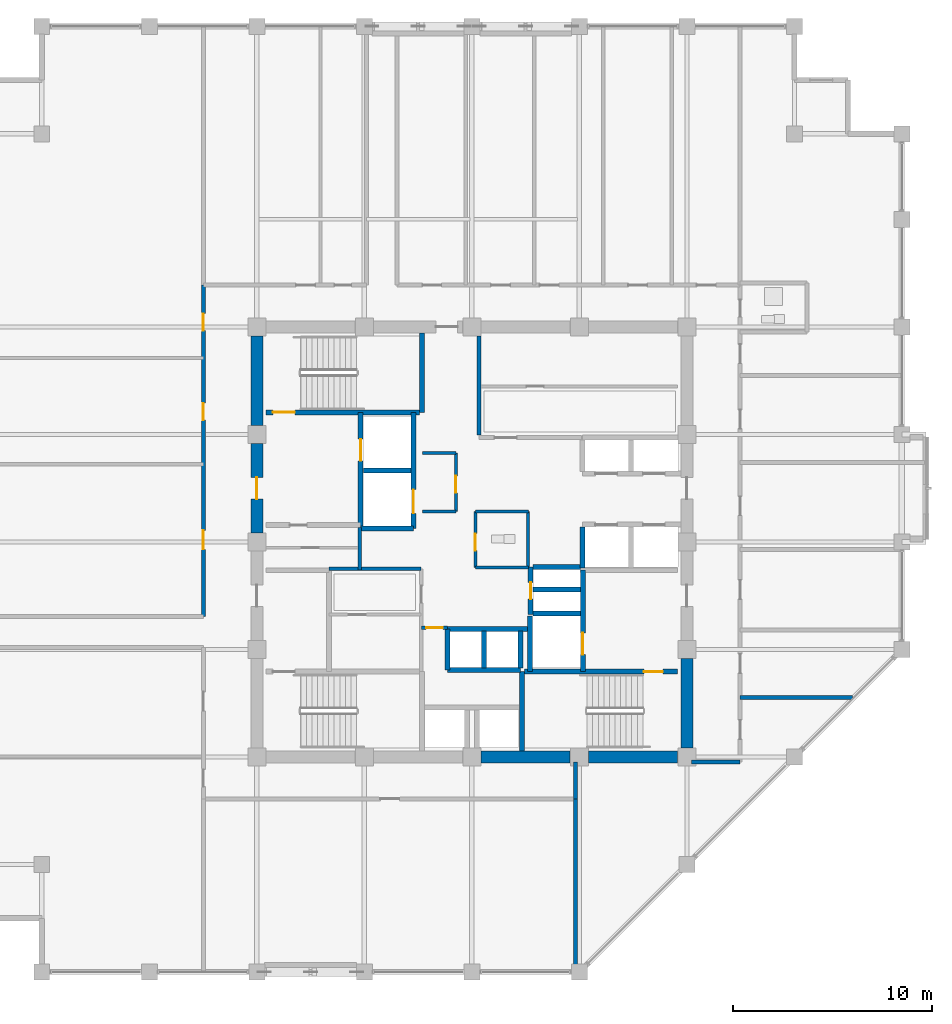
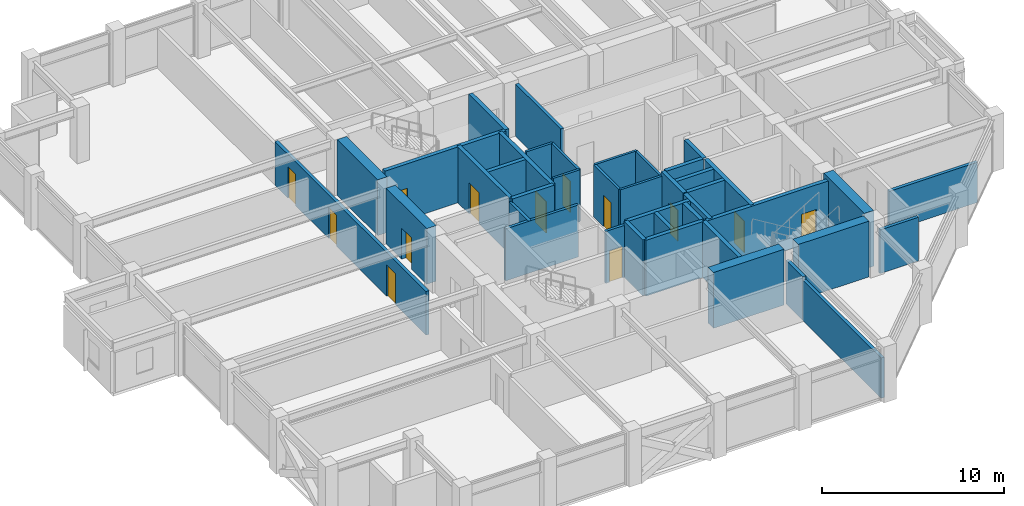
# One storey, part 23 of 28: 41 walls, 13 doors, 13 openings.
"""IFC4 building model written with IfcOpenShell, lengths in metres."""

from ifc_helpers import new_model, si_unit, direction, frame, frame_2d, origin, place, context, subcontext, project, spatial, rectangle, extrude, material, layer, layer_set, type_object, element, fill, save


model = new_model("IFC4")

# Units and contexts
model_context = context("Model", 3, precision=1e-05, world=origin(), true_north=direction((0.0, 1.0)))
body_context = subcontext(model_context, "Body", "Model", "MODEL_VIEW")
ifc_project = project(units=[si_unit("LENGTHUNIT", "METRE"), si_unit("AREAUNIT", "SQUARE_METRE"), si_unit("VOLUMEUNIT", "CUBIC_METRE"), si_unit("PLANEANGLEUNIT", "RADIAN"), si_unit("MASSUNIT", "GRAM", prefix="KILO")], contexts=[model_context])

# Site, building, storey
site_placement = place(None, origin())
site = spatial("IfcSite", under=ifc_project, at=site_placement, CompositionType="ELEMENT")
building_placement = place(site_placement, origin())
building = spatial("IfcBuilding", under=site, at=building_placement, Name="Surkhivell Harbour Commons", CompositionType="ELEMENT")
storey_placement = place(building_placement, frame((0.0, 0.0, 246.0)))
storey = spatial("IfcBuildingStorey", under=building, at=storey_placement, Name="L64", CompositionType="ELEMENT", Elevation=246.0)

# Walls
ifc_material_1 = material(Name="Concrete C60/75", Category="concrete")
ifc_layer_1 = layer(ifc_material_1, 0.60009765625)
ifc_layer_set_1 = layer_set([ifc_layer_1], Name="Concrete C60/75")
wall_type_1 = type_object("IfcWallType", Name="WAL-CORE-600", PredefinedType="SHEAR", material=ifc_layer_set_1)
for number, where, z_axis, x_axis, name in (
    (1, (10.800048828125, -10.340087890625, 0.0), (0.0, 0.0, 1.0), (0.0, 1.0, 0.0), "L64 Core Shear Wall East 1"),
    (2, (0.4599609375, -10.800048828125, 0.0), (0.0, 0.0, 1.0), (1.0, 0.0, 0.0), "L64 Core Shear Wall South 3"),
):
    element("IfcWall", number, at=place(storey_placement, frame(where, z_axis=z_axis, x_axis=x_axis)), inside=storey, type_object=wall_type_1, Name=name, PredefinedType="SHEAR", context=body_context, shape_type="SweptSolid", body=[
        extrude(rectangle(XDim=4.47998046875, YDim=0.60009765625, at=frame_2d((2.239990234375, 0.0))), origin(), (0.0, 0.0, 1.0), 3.75),
    ])

# Wall, opening, door
wall_1_placement = place(storey_placement, frame((-10.800048828125, 0.4599609375, 0.0), z_axis=(0.0, 0.0, 1.0), x_axis=(0.0, 1.0, 0.0)))
wall_1 = element("IfcWall", 3, at=wall_1_placement, inside=storey, type_object=wall_type_1, Name="L64 Core Shear Wall West 3", PredefinedType="SHEAR", context=body_context, shape_type="SweptSolid", body=[
    extrude(rectangle(XDim=4.47998046875, YDim=0.60009765625, at=frame_2d((2.239990234375, 0.0))), origin(), (0.0, 0.0, 1.0), 3.75),
])
opening_1_placement = place(wall_1_placement, frame((1.68994140625, 0.0, 0.0)))
opening_1 = element("IfcOpeningElement", 4, at=opening_1_placement, cuts=wall_1, Name="Opening ID-1", PredefinedType="OPENING", context=body_context, shape_type="SweptSolid", body=[
    extrude(rectangle(XDim=1.10009765625, YDim=2.10009765625, at=frame_2d((0.550048828125, 1.050048828125))), frame((0.0, 0.31005859375, 0.0), z_axis=(0.0, -1.0, 0.0), x_axis=(1.0, 0.0, 0.0)), (0.0, 0.0, 1.0), 0.6201171875),
])
ifc_material_2 = material(Name="Hardwood-veneered fire-rated door leaf", Category="wood")
door_type_1 = type_object("IfcDoorType", Name="DOR-FD120-1100", OperationType="NOTDEFINED", PredefinedType="DOOR", material=ifc_material_2)
door_1_placement = place(opening_1_placement, origin())
door_1 = element("IfcDoor", 5, at=door_1_placement, inside=storey, type_object=door_type_1, Name="L64 Firefighting Lobby 1 Corridor Door", OperationType="SINGLE_SWING_LEFT", OverallHeight=2.10009765625, OverallWidth=1.10009765625, PredefinedType="DOOR", context=body_context, shape_type="SweptSolid", body=[
    extrude(rectangle(XDim=1.10009765625, YDim=2.10009765625, at=frame_2d((0.550048828125, 1.050048828125))), frame((0.0, 0.02490234375, 0.0), z_axis=(0.0, -1.0, 0.0), x_axis=(1.0, 0.0, 0.0)), (0.0, 0.0, 1.0), 0.050048828125),
])
fill(opening_1, door_1)

# Walls
for number, where, z_axis, x_axis, name in (
    (6, (5.860107421875, -10.800048828125, 0.0), (0.0, 0.0, 1.0), (1.0, 0.0, 0.0), "L64 Core Shear Wall South 4"),
    (7, (-10.800048828125, 5.860107421875, 0.0), (0.0, 0.0, 1.0), (0.0, 1.0, 0.0), "L64 Core Shear Wall West 4"),
):
    element("IfcWall", number, at=place(storey_placement, frame(where, z_axis=z_axis, x_axis=x_axis)), inside=storey, type_object=wall_type_1, Name=name, PredefinedType="SHEAR", context=body_context, shape_type="SweptSolid", body=[
        extrude(rectangle(XDim=4.47998046875, YDim=0.60009765625, at=frame_2d((2.239990234375, 0.0))), origin(), (0.0, 0.0, 1.0), 3.75),
    ])
ifc_material_3 = material(Name="Twin-stud acoustic fireboard partition", Category="other")
ifc_layer_2 = layer(ifc_material_3, 0.14990234375)
ifc_layer_set_2 = layer_set([ifc_layer_2], Name="Twin-stud acoustic fireboard partition")
wall_type_2 = type_object("IfcWallType", Name="WAL-INT-150", PredefinedType="PARTITIONING", material=ifc_layer_set_2)
wall_2_placement = place(storey_placement, frame((2.820068359375, -1.25, 0.0), z_axis=(0.0, 0.0, 1.0), x_axis=(0.0, 1.0, 0.0)))
element("IfcWall", 8, at=wall_2_placement, inside=storey, type_object=wall_type_2, Name="L64 Core WC East Wall", PredefinedType="PARTITIONING", context=body_context, shape_type="SweptSolid", body=[
    extrude(rectangle(XDim=2.77001953125, YDim=0.14990234375, at=frame_2d((1.385009765625, 0.0))), origin(), (0.0, 0.0, 1.0), 3.5),
])
for number, where, z_axis, x_axis, name in (
    (9, (0.179931640625, 1.52001953125, 0.0), (0.0, 0.0, 1.0), (1.0, 0.0, 0.0), "L64 Core WC North Wall"),
    (10, (0.179931640625, -1.280029296875, 0.0), (0.0, 0.0, 1.0), (1.0, 0.0, 0.0), "L64 Core WC South Wall"),
):
    element("IfcWall", number, at=place(storey_placement, frame(where, z_axis=z_axis, x_axis=x_axis)), inside=storey, type_object=wall_type_2, Name=name, PredefinedType="PARTITIONING", context=body_context, shape_type="SweptSolid", body=[
        extrude(rectangle(XDim=2.670166015625, YDim=0.14990234375, at=frame_2d((1.3349609375, 0.0))), origin(), (0.0, 0.0, 1.0), 3.5),
    ])

# Wall, opening, door
wall_3_placement = place(storey_placement, frame((0.179931640625, -1.280029296875, 0.0), z_axis=(0.0, 0.0, 1.0), x_axis=(0.0, 1.0, 0.0)))
wall_3 = element("IfcWall", 11, at=wall_3_placement, inside=storey, type_object=wall_type_2, Name="L64 Core Accessible WC West Wall", PredefinedType="PARTITIONING", context=body_context, shape_type="SweptSolid", body=[
    extrude(rectangle(XDim=2.800048828125, YDim=0.14990234375, at=frame_2d((1.39990234375, 0.0))), origin(), (0.0, 0.0, 1.0), 3.5),
])
opening_2_placement = place(wall_3_placement, frame((0.85009765625, 0.0, 0.0)))
opening_2 = element("IfcOpeningElement", 12, at=opening_2_placement, cuts=wall_3, Name="Opening ID-6", PredefinedType="OPENING", context=body_context, shape_type="SweptSolid", body=[
    extrude(rectangle(XDim=0.85009765625, YDim=2.10009765625, at=frame_2d((0.425048828125, 1.050048828125))), frame((0.0, 0.0849609375, 0.0), z_axis=(0.0, -1.0, 0.0), x_axis=(1.0, 0.0, 0.0)), (0.0, 0.0, 1.0), 0.169921875),
])
door_type_2 = type_object("IfcDoorType", Name="DOR-FD30-850", OperationType="NOTDEFINED", PredefinedType="DOOR", material=ifc_material_2)
door_2_placement = place(opening_2_placement, origin())
door_2 = element("IfcDoor", 13, at=door_2_placement, inside=storey, type_object=door_type_2, Name="L64 Floor Accessible WC Door", OperationType="SINGLE_SWING_RIGHT", OverallHeight=2.10009765625, OverallWidth=0.85009765625, PredefinedType="DOOR", context=body_context, shape_type="SweptSolid", body=[
    extrude(rectangle(XDim=0.85009765625, YDim=2.10009765625, at=frame_2d((0.425048828125, 1.050048828125))), frame((0.0, 0.02490234375, 0.0), z_axis=(0.0, -1.0, 0.0), x_axis=(1.0, 0.0, 0.0)), (0.0, 0.0, 1.0), 0.050048828125),
])
fill(opening_2, door_2)

wall_4_placement = place(storey_placement, frame((-0.800048828125, 1.52001953125, 0.0), z_axis=(0.0, 0.0, 1.0), x_axis=(0.0, 1.0, 0.0)))
wall_4 = element("IfcWall", 14, at=wall_4_placement, inside=storey, type_object=wall_type_2, Name="L64 Core Seminar East Wall", PredefinedType="PARTITIONING", context=body_context, shape_type="SweptSolid", body=[
    extrude(rectangle(XDim=2.9599609375, YDim=0.14990234375, at=frame_2d((1.47998046875, 0.0))), origin(), (0.0, 0.0, 1.0), 3.5),
])
opening_3_placement = place(wall_4_placement, frame((0.949951171875, 0.0, 0.0)))
opening_3 = element("IfcOpeningElement", 15, at=opening_3_placement, cuts=wall_4, Name="Opening ID-6", PredefinedType="OPENING", context=body_context, shape_type="SweptSolid", body=[
    extrude(rectangle(XDim=0.85009765625, YDim=2.10009765625, at=frame_2d((0.425048828125, 1.050048828125))), frame((0.0, 0.0849609375, 0.0), z_axis=(0.0, -1.0, 0.0), x_axis=(1.0, 0.0, 0.0)), (0.0, 0.0, 1.0), 0.169921875),
])
door_3_placement = place(opening_3_placement, origin())
door_3 = element("IfcDoor", 16, at=door_3_placement, inside=storey, type_object=door_type_2, Name="L64 Central Seminar Door", OperationType="SINGLE_SWING_LEFT", OverallHeight=2.10009765625, OverallWidth=0.85009765625, PredefinedType="DOOR", context=body_context, shape_type="SweptSolid", body=[
    extrude(rectangle(XDim=0.85009765625, YDim=2.10009765625, at=frame_2d((0.425048828125, 1.050048828125))), frame((0.0, 0.02490234375, 0.0), z_axis=(0.0, -1.0, 0.0), x_axis=(1.0, 0.0, 0.0)), (0.0, 0.0, 1.0), 0.050048828125),
])
fill(opening_3, door_3)

# Walls
for number, where, z_axis, x_axis, name in (
    (17, (-2.47998046875, 4.47998046875, 0.0), (0.0, 0.0, 1.0), (1.0, 0.0, 0.0), "L64 Core Seminar North Wall"),
    (18, (-2.47998046875, 1.52001953125, 0.0), (0.0, 0.0, 1.0), (1.0, 0.0, 0.0), "L64 Core Seminar South Wall"),
):
    element("IfcWall", number, at=place(storey_placement, frame(where, z_axis=z_axis, x_axis=x_axis)), inside=storey, type_object=wall_type_2, Name=name, PredefinedType="PARTITIONING", context=body_context, shape_type="SweptSolid", body=[
        extrude(rectangle(XDim=1.679931640625, YDim=0.14990234375, at=frame_2d((0.83984375, 0.0))), origin(), (0.0, 0.0, 1.0), 3.5),
    ])
ifc_material_4 = material(Name="High-density acoustic blockwork fire partition", Category="masonry")
ifc_layer_3 = layer(ifc_material_4, 0.175048828125)
ifc_layer_set_3 = layer_set([ifc_layer_3], Name="High-density acoustic blockwork fire partition")
wall_type_3 = type_object("IfcWallType", Name="WAL-INT-175", PredefinedType="PARTITIONING", material=ifc_layer_set_3)
wall_5_placement = place(storey_placement, frame((-7.179931640625, -1.35009765625, 0.0), z_axis=(0.0, 0.0, 1.0), x_axis=(1.0, 0.0, 0.0)))
element("IfcWall", 19, at=wall_5_placement, inside=storey, type_object=wall_type_3, Name="L64 Core Service Bay North Wall", PredefinedType="PARTITIONING", context=body_context, shape_type="SweptSolid", body=[
    extrude(rectangle(XDim=4.6298828125, YDim=0.175048828125, at=frame_2d((2.31494140625, 0.0))), origin(), (0.0, 0.0, 1.0), 3.5),
])
wall_6_placement = place(storey_placement, frame((-5.6201171875, -1.419921875, 0.0), z_axis=(0.0, 0.0, 1.0), x_axis=(0.0, 1.0, 0.0)))
element("IfcWall", 20, at=wall_6_placement, inside=storey, type_object=wall_type_3, Name="L64 West Core Bay East Wall", PredefinedType="PARTITIONING", context=body_context, shape_type="SweptSolid", body=[
    extrude(rectangle(XDim=2.139892578125, YDim=0.175048828125, at=frame_2d((1.06982421875, 0.0))), origin(), (0.0, 0.0, 1.0), 3.5),
])

# Wall, opening, door
wall_7_placement = place(storey_placement, frame((-2.52001953125, -4.320068359375, 0.0), z_axis=(0.0, 0.0, 1.0), x_axis=(1.0, 0.0, 0.0)))
wall_7 = element("IfcWall", 21, at=wall_7_placement, inside=storey, type_object=wall_type_3, Name="L64 High-Rise Lobby North Portal Wall", PredefinedType="PARTITIONING", context=body_context, shape_type="SweptSolid", body=[
    extrude(rectangle(XDim=1.300048828125, YDim=0.175048828125, at=frame_2d((0.64990234375, 0.0))), origin(), (0.0, 0.0, 1.0), 3.5),
])
opening_4_placement = place(wall_7_placement, frame((0.219970703125, 0.0, 0.0)))
opening_4 = element("IfcOpeningElement", 22, at=opening_4_placement, cuts=wall_7, Name="Opening ID-6", PredefinedType="OPENING", context=body_context, shape_type="SweptSolid", body=[
    extrude(rectangle(XDim=0.85009765625, YDim=2.10009765625, at=frame_2d((0.425048828125, 1.050048828125))), frame((0.0, 0.097412109375, 0.0), z_axis=(0.0, -1.0, 0.0), x_axis=(1.0, 0.0, 0.0)), (0.0, 0.0, 1.0), 0.195068359375),
])
door_4_placement = place(opening_4_placement, origin())
door_4 = element("IfcDoor", 23, at=door_4_placement, inside=storey, type_object=door_type_2, Name="L64 High-Rise Lift Lobby North Door", OperationType="SINGLE_SWING_LEFT", OverallHeight=2.10009765625, OverallWidth=0.85009765625, PredefinedType="DOOR", context=body_context, shape_type="SweptSolid", body=[
    extrude(rectangle(XDim=0.85009765625, YDim=2.10009765625, at=frame_2d((0.425048828125, 1.050048828125))), frame((0.0, 0.02490234375, 0.0), z_axis=(0.0, -1.0, 0.0), x_axis=(1.0, 0.0, 0.0)), (0.0, 0.0, 1.0), 0.050048828125),
])
fill(opening_4, door_4)

# Walls
ifc_material_5 = material(Name="Autoclaved aerated concrete blockwork and fire plaster", Category="masonry")
ifc_layer_4 = layer(ifc_material_5, 0.199951171875)
ifc_layer_set_4 = layer_set([ifc_layer_4], Name="Autoclaved aerated concrete blockwork and fire plaster")
wall_type_4 = type_object("IfcWallType", Name="WAL-INT-200", PredefinedType="PARTITIONING", material=ifc_layer_set_4)
wall_8_placement = place(storey_placement, frame((0.35009765625, 5.360107421875, 0.0), z_axis=(0.0, 0.0, 1.0), x_axis=(0.0, 1.0, 0.0)))
element("IfcWall", 24, at=wall_8_placement, inside=storey, type_object=wall_type_4, Name="L64 Reclaimed Core North Bay West Wall", PredefinedType="PARTITIONING", context=body_context, shape_type="SweptSolid", body=[
    extrude(rectangle(XDim=4.97998046875, YDim=0.199951171875, at=frame_2d((2.489990234375, 0.0))), origin(), (0.0, 0.0, 1.0), 3.5),
])
wall_9_placement = place(storey_placement, frame((5.199951171875, -21.5400390625, 0.0), z_axis=(0.0, 0.0, 1.0), x_axis=(0.0, 1.0, 0.0)))
element("IfcWall", 25, at=wall_9_placement, inside=storey, type_object=wall_type_4, Name="L64 South-East Corner Wall", PredefinedType="PARTITIONING", context=body_context, shape_type="SweptSolid", body=[
    extrude(rectangle(XDim=8.64013671875, YDim=0.199951171875, at=frame_2d((4.320068359375, 0.0))), origin(), (0.0, 0.0, 1.0), 2.7099609375),
])
wall_10_placement = place(storey_placement, frame((11.0400390625, -11.0400390625, 0.0), z_axis=(0.0, 0.0, 1.0), x_axis=(1.0, 0.0, 0.0)))
element("IfcWall", 26, at=wall_10_placement, inside=storey, type_object=wall_type_4, Name="L64 Corridor East South Closure Wall", PredefinedType="PARTITIONING", context=body_context, shape_type="SweptSolid", body=[
    extrude(rectangle(XDim=2.43994140625, YDim=0.199951171875, at=frame_2d((1.219970703125, 0.0))), origin(), (0.0, 0.0, 1.0), 2.93603515625),
])
wall_11_placement = place(storey_placement, frame((5.199951171875, -12.89990234375, 0.0), z_axis=(0.0, 0.0, 1.0), x_axis=(0.0, 1.0, 0.0)))
element("IfcWall", 27, at=wall_11_placement, inside=storey, type_object=wall_type_4, Name="L64 Corridor South End Wall", PredefinedType="PARTITIONING", context=body_context, shape_type="SweptSolid", body=[
    extrude(rectangle(XDim=1.85986328125, YDim=0.199951171875, at=frame_2d((0.929931640625, 0.0))), origin(), (0.0, 0.0, 1.0), 2.93603515625),
])

# Wall, openings, doors
wall_12_placement = place(storey_placement, frame((-13.47998046875, -3.75, 0.0), z_axis=(0.0, 0.0, 1.0), x_axis=(0.0, 1.0, 0.0)))
wall_12 = element("IfcWall", 28, at=wall_12_placement, inside=storey, type_object=wall_type_4, Name="L64 Corridor West-Upper Wall", PredefinedType="PARTITIONING", context=body_context, shape_type="SweptSolid", body=[
    extrude(rectangle(XDim=16.64990234375, YDim=0.199951171875, at=frame_2d((8.324951171875, 0.0))), origin(), (0.0, 0.0, 1.0), 2.93603515625),
])
opening_5_placement = place(wall_12_placement, frame((3.3798828125, 0.0, 0.0)))
opening_5 = element("IfcOpeningElement", 29, at=opening_5_placement, cuts=wall_12, Name="Opening ID-4", PredefinedType="OPENING", context=body_context, shape_type="SweptSolid", body=[
    extrude(rectangle(XDim=0.949951171875, YDim=2.10009765625, at=frame_2d((0.47509765625, 1.050048828125))), frame((0.0, 0.10986328125, 0.0), z_axis=(0.0, -1.0, 0.0), x_axis=(1.0, 0.0, 0.0)), (0.0, 0.0, 1.0), 0.219970703125),
])
opening_6_placement = place(wall_12_placement, frame((9.875, 0.0, 0.0)))
opening_6 = element("IfcOpeningElement", 30, at=opening_6_placement, cuts=wall_12, Name="Opening ID-6", PredefinedType="OPENING", context=body_context, shape_type="SweptSolid", body=[
    extrude(rectangle(XDim=0.85009765625, YDim=2.10009765625, at=frame_2d((0.425048828125, 1.050048828125))), frame((0.0, 0.10986328125, 0.0), z_axis=(0.0, -1.0, 0.0), x_axis=(1.0, 0.0, 0.0)), (0.0, 0.0, 1.0), 0.219970703125),
])
opening_7_placement = place(wall_12_placement, frame((14.3701171875, 0.0, 0.0)))
opening_7 = element("IfcOpeningElement", 31, at=opening_7_placement, cuts=wall_12, Name="Opening ID-6", PredefinedType="OPENING", context=body_context, shape_type="SweptSolid", body=[
    extrude(rectangle(XDim=0.85009765625, YDim=2.10009765625, at=frame_2d((0.425048828125, 1.050048828125))), frame((0.0, 0.10986328125, 0.0), z_axis=(0.0, -1.0, 0.0), x_axis=(1.0, 0.0, 0.0)), (0.0, 0.0, 1.0), 0.219970703125),
])
door_5_placement = place(opening_6_placement, origin())
door_5 = element("IfcDoor", 32, at=door_5_placement, inside=storey, type_object=door_type_2, Name="L64 Resident Social Lounge 2 North-West Door", OperationType="SINGLE_SWING_LEFT", OverallHeight=2.10009765625, OverallWidth=0.85009765625, PredefinedType="DOOR", context=body_context, shape_type="SweptSolid", body=[
    extrude(rectangle(XDim=0.85009765625, YDim=2.10009765625, at=frame_2d((0.425048828125, 1.050048828125))), frame((0.0, 0.02490234375, 0.0), z_axis=(0.0, -1.0, 0.0), x_axis=(1.0, 0.0, 0.0)), (0.0, 0.0, 1.0), 0.050048828125),
])
fill(opening_6, door_5)
door_6_placement = place(opening_7_placement, origin())
door_6 = element("IfcDoor", 33, at=door_6_placement, inside=storey, type_object=door_type_2, Name="L64 Resident Social Lounge 3 North-West Door", OperationType="SINGLE_SWING_RIGHT", OverallHeight=2.10009765625, OverallWidth=0.85009765625, PredefinedType="DOOR", context=body_context, shape_type="SweptSolid", body=[
    extrude(rectangle(XDim=0.85009765625, YDim=2.10009765625, at=frame_2d((0.425048828125, 1.050048828125))), frame((0.0, 0.02490234375, 0.0), z_axis=(0.0, -1.0, 0.0), x_axis=(1.0, 0.0, 0.0)), (0.0, 0.0, 1.0), 0.050048828125),
])
fill(opening_7, door_6)
door_type_3 = type_object("IfcDoorType", Name="DOR-FD60-950", OperationType="NOTDEFINED", PredefinedType="DOOR", material=ifc_material_2)
door_7_placement = place(opening_5_placement, origin())
door_7 = element("IfcDoor", 34, at=door_7_placement, inside=storey, type_object=door_type_3, Name="L64 Harbour Social Lounge North-West Door", OperationType="SINGLE_SWING_RIGHT", OverallHeight=2.10009765625, OverallWidth=0.949951171875, PredefinedType="DOOR", context=body_context, shape_type="SweptSolid", body=[
    extrude(rectangle(XDim=0.949951171875, YDim=2.10009765625, at=frame_2d((0.47509765625, 1.050048828125))), frame((0.0, 0.02490234375, 0.0), z_axis=(0.0, -1.0, 0.0), x_axis=(1.0, 0.0, 0.0)), (0.0, 0.0, 1.0), 0.050048828125),
])
fill(opening_5, door_7)

# Wall
wall_13_placement = place(storey_placement, frame((13.47998046875, -7.800048828125, 0.0), z_axis=(0.0, 0.0, 1.0), x_axis=(1.0, 0.0, 0.0)))
element("IfcWall", 35, at=wall_13_placement, inside=storey, type_object=wall_type_4, Name="L64 East Partition PBOT", PredefinedType="PARTITIONING", context=body_context, shape_type="SweptSolid", body=[
    extrude(rectangle(XDim=5.63525390625, YDim=0.199951171875, at=frame_2d((2.817626953125, 0.0))), origin(), (0.0, 0.0, 1.0), 2.7099609375),
])

# Wall, opening, door
ifc_material_6 = material(Name="Concrete C50/60", Category="concrete")
ifc_layer_5 = layer(ifc_material_6, 0.25)
ifc_layer_set_5 = layer_set([ifc_layer_5], Name="Concrete C50/60")
wall_type_5 = type_object("IfcWallType", Name="WAL-SHAFT-250", PredefinedType="SHEAR", material=ifc_layer_set_5)
wall_14_placement = place(storey_placement, frame((-5.580078125, 0.719970703125, 0.0), z_axis=(0.0, 0.0, 1.0), x_axis=(0.0, 1.0, 0.0)))
wall_14 = element("IfcWall", 36, at=wall_14_placement, inside=storey, type_object=wall_type_5, Name="L64 Firefighting Lobby 1 East Shaft Wall", PredefinedType="SHEAR", context=body_context, shape_type="SweptSolid", body=[
    extrude(rectangle(XDim=5.7900390625, YDim=0.25, at=frame_2d((2.89501953125, 0.0))), origin(), (0.0, 0.0, 1.0), 3.75),
])
opening_8_placement = place(wall_14_placement, frame((3.35009765625, 0.0, 0.0)))
opening_8 = element("IfcOpeningElement", 37, at=opening_8_placement, cuts=wall_14, Name="Opening LD-1", PredefinedType="OPENING", context=body_context, shape_type="SweptSolid", body=[
    extrude(rectangle(XDim=1.10009765625, YDim=2.10009765625, at=frame_2d((0.550048828125, 1.050048828125))), frame((0.0, 0.135009765625, 0.0), z_axis=(0.0, -1.0, 0.0), x_axis=(1.0, 0.0, 0.0)), (0.0, 0.0, 1.0), 0.27001953125),
])
ifc_material_7 = material(Name="Brushed stainless steel S355", Category="steel")
door_type_4 = type_object("IfcDoorType", Name="DOR-LD-1100", OperationType="SLIDING_TO_LEFT", PredefinedType="DOOR", material=ifc_material_7)
door_8_placement = place(opening_8_placement, origin())
door_8 = element("IfcDoor", 38, at=door_8_placement, inside=storey, type_object=door_type_4, Name="L64 Lift Landing Door LD-FFL1", OperationType="SLIDING_TO_LEFT", OverallHeight=2.10009765625, OverallWidth=1.10009765625, PredefinedType="DOOR", context=body_context, shape_type="SweptSolid", body=[
    extrude(rectangle(XDim=1.10009765625, YDim=2.10009765625, at=frame_2d((0.550048828125, 1.050048828125))), frame((0.0, 0.02490234375, 0.0), z_axis=(0.0, -1.0, 0.0), x_axis=(1.0, 0.0, 0.0)), (0.0, 0.0, 1.0), 0.050048828125),
])
fill(opening_8, door_8)

# Walls
wall_15_placement = place(storey_placement, frame((2.929931640625, -6.510009765625, 0.0), z_axis=(0.0, 0.0, 1.0), x_axis=(0.0, 1.0, 0.0)))
element("IfcWall", 39, at=wall_15_placement, inside=storey, type_object=wall_type_5, Name="L64 FFL2 West Shaft Wall", PredefinedType="SHEAR", context=body_context, shape_type="SweptSolid", body=[
    extrude(rectangle(XDim=2.7900390625, YDim=0.25, at=frame_2d((1.39501953125, 0.0))), origin(), (0.0, 0.0, 1.0), 3.75),
])
wall_16_placement = place(storey_placement, frame((3.080078125, -3.60009765625, 0.0), z_axis=(0.0, 0.0, 1.0), x_axis=(1.0, 0.0, 0.0)))
element("IfcWall", 40, at=wall_16_placement, inside=storey, type_object=wall_type_5, Name="L64 FFL2 North Shaft Wall", PredefinedType="SHEAR", context=body_context, shape_type="SweptSolid", body=[
    extrude(rectangle(XDim=2.369873046875, YDim=0.25, at=frame_2d((1.18505859375, 0.0))), origin(), (0.0, 0.0, 1.0), 3.75),
])

# Wall, opening, door
wall_17_placement = place(storey_placement, frame((5.580078125, -6.510009765625, 0.0), z_axis=(0.0, 0.0, 1.0), x_axis=(0.0, 1.0, 0.0)))
wall_17 = element("IfcWall", 41, at=wall_17_placement, inside=storey, type_object=wall_type_5, Name="L64 Firefighting Lobby 2 West Shaft Wall", PredefinedType="SHEAR", context=body_context, shape_type="SweptSolid", body=[
    extrude(rectangle(XDim=5.090087890625, YDim=0.25, at=frame_2d((2.544921875, 0.0))), origin(), (0.0, 0.0, 1.0), 3.75),
])
opening_9_placement = place(wall_17_placement, frame((0.85009765625, 0.0, 0.0)))
opening_9 = element("IfcOpeningElement", 42, at=opening_9_placement, cuts=wall_17, Name="Opening LD-1", PredefinedType="OPENING", context=body_context, shape_type="SweptSolid", body=[
    extrude(rectangle(XDim=1.10009765625, YDim=2.10009765625, at=frame_2d((0.550048828125, 1.050048828125))), frame((0.0, 0.135009765625, 0.0), z_axis=(0.0, -1.0, 0.0), x_axis=(1.0, 0.0, 0.0)), (0.0, 0.0, 1.0), 0.27001953125),
])
door_9_placement = place(opening_9_placement, origin())
door_9 = element("IfcDoor", 43, at=door_9_placement, inside=storey, type_object=door_type_4, Name="L64 Lift Landing Door LD-FFL2", OperationType="SLIDING_TO_RIGHT", OverallHeight=2.10009765625, OverallWidth=1.10009765625, PredefinedType="DOOR", context=body_context, shape_type="SweptSolid", body=[
    extrude(rectangle(XDim=1.10009765625, YDim=2.10009765625, at=frame_2d((0.550048828125, 1.050048828125))), frame((0.0, 0.02490234375, 0.0), z_axis=(0.0, -1.0, 0.0), x_axis=(1.0, 0.0, 0.0)), (0.0, 0.0, 1.0), 0.050048828125),
])
fill(opening_9, door_9)

# Walls
for number, where, z_axis, x_axis, name in (
    (44, (0.6201171875, -6.340087890625, 0.0), (0.0, 0.0, 1.0), (0.0, 1.0, 0.0), "L64 High-Rise Side Wall N"),
    (45, (2.449951171875, -6.340087890625, 0.0), (0.0, 0.0, 1.0), (0.0, 1.0, 0.0), "L64 High-Rise Side Wall N"),
):
    element("IfcWall", number, at=place(storey_placement, frame(where, z_axis=z_axis, x_axis=x_axis)), inside=storey, type_object=wall_type_5, Name=name, PredefinedType="SHEAR", context=body_context, shape_type="SweptSolid", body=[
        extrude(rectangle(XDim=1.880126953125, YDim=0.25, at=frame_2d((0.93994140625, 0.0))), origin(), (0.0, 0.0, 1.0), 3.75),
    ])
wall_18_placement = place(storey_placement, frame((-1.219970703125, -6.43994140625, 0.0), z_axis=(0.0, 0.0, 1.0), x_axis=(0.0, 1.0, 0.0)))
element("IfcWall", 46, at=wall_18_placement, inside=storey, type_object=wall_type_5, Name="L64 High-Rise Passage East Shaft Wall", PredefinedType="SHEAR", context=body_context, shape_type="SweptSolid", body=[
    extrude(rectangle(XDim=2.079833984375, YDim=0.25, at=frame_2d((1.0400390625, 0.0))), origin(), (0.0, 0.0, 1.0), 3.75),
])
wall_19_placement = place(storey_placement, frame((-1.219970703125, -6.43994140625, 0.0), z_axis=(0.0, 0.0, 1.0), x_axis=(1.0, 0.0, 0.0)))
element("IfcWall", 47, at=wall_19_placement, inside=storey, type_object=wall_type_5, Name="L64 High-Rise North Front Shaft Wall", PredefinedType="SHEAR", context=body_context, shape_type="SweptSolid", body=[
    extrude(rectangle(XDim=3.669921875, YDim=0.25, at=frame_2d((1.8349609375, 0.0))), origin(), (0.0, 0.0, 1.0), 3.75),
])
wall_20_placement = place(storey_placement, frame((-1.219970703125, -4.360107421875, 0.0), z_axis=(0.0, 0.0, 1.0), x_axis=(1.0, 0.0, 0.0)))
element("IfcWall", 48, at=wall_20_placement, inside=storey, type_object=wall_type_5, Name="L64 High-Rise North Back Shaft Wall", PredefinedType="SHEAR", context=body_context, shape_type="SweptSolid", body=[
    extrude(rectangle(XDim=4.030029296875, YDim=0.25, at=frame_2d((2.01513671875, 0.0))), origin(), (0.0, 0.0, 1.0), 3.75),
])
wall_21_placement = place(storey_placement, frame((5.550048828125, -1.300048828125, 0.0), z_axis=(0.0, 0.0, 1.0), x_axis=(0.0, 1.0, 0.0)))
element("IfcWall", 49, at=wall_21_placement, inside=storey, type_object=wall_type_5, Name="L64 Mid-Rise Shaft Side Wall S", PredefinedType="SHEAR", context=body_context, shape_type="SweptSolid", body=[
    extrude(rectangle(XDim=2.0400390625, YDim=0.25, at=frame_2d((1.02001953125, 0.0))), origin(), (0.0, 0.0, 1.0), 3.75),
])
for number, where, z_axis, x_axis, name in (
    (50, (3.080078125, -2.3798828125, 0.0), (0.0, 0.0, 1.0), (1.0, 0.0, 0.0), "L64 Riser Divider Wall"),
    (51, (3.080078125, -1.25, 0.0), (0.0, 0.0, 1.0), (1.0, 0.0, 0.0), "L64 Riser North Wall"),
):
    element("IfcWall", number, at=place(storey_placement, frame(where, z_axis=z_axis, x_axis=x_axis)), inside=storey, type_object=wall_type_5, Name=name, PredefinedType="SHEAR", context=body_context, shape_type="SweptSolid", body=[
        extrude(rectangle(XDim=2.369873046875, YDim=0.25, at=frame_2d((1.18505859375, 0.0))), origin(), (0.0, 0.0, 1.0), 3.75),
    ])

# Wall, opening, door
wall_22_placement = place(storey_placement, frame((2.949951171875, -3.64990234375, 0.0), z_axis=(0.0, 0.0, 1.0), x_axis=(0.0, 1.0, 0.0)))
wall_22 = element("IfcWall", 52, at=wall_22_placement, inside=storey, type_object=wall_type_5, Name="L64 Riser Shaft West Wall", PredefinedType="SHEAR", context=body_context, shape_type="SweptSolid", body=[
    extrude(rectangle(XDim=2.39990234375, YDim=0.25, at=frame_2d((1.199951171875, 0.0))), origin(), (0.0, 0.0, 1.0), 3.75),
])
opening_10_placement = place(wall_22_placement, frame((0.77490234375, 0.0, 0.0)))
opening_10 = element("IfcOpeningElement", 53, at=opening_10_placement, cuts=wall_22, Name="Opening ID-6", PredefinedType="OPENING", context=body_context, shape_type="SweptSolid", body=[
    extrude(rectangle(XDim=0.85009765625, YDim=2.10009765625, at=frame_2d((0.425048828125, 1.050048828125))), frame((0.0, 0.135009765625, 0.0), z_axis=(0.0, -1.0, 0.0), x_axis=(1.0, 0.0, 0.0)), (0.0, 0.0, 1.0), 0.27001953125),
])
door_10_placement = place(opening_10_placement, origin())
door_10 = element("IfcDoor", 54, at=door_10_placement, inside=storey, type_object=door_type_2, Name="L64 Electrical Riser Access Door", OperationType="SINGLE_SWING_LEFT", OverallHeight=2.10009765625, OverallWidth=0.85009765625, PredefinedType="DOOR", context=body_context, shape_type="SweptSolid", body=[
    extrude(rectangle(XDim=0.85009765625, YDim=2.10009765625, at=frame_2d((0.425048828125, 1.050048828125))), frame((0.0, 0.02490234375, 0.0), z_axis=(0.0, -1.0, 0.0), x_axis=(1.0, 0.0, 0.0)), (0.0, 0.0, 1.0), 0.050048828125),
])
fill(opening_10, door_10)

# Wall
wall_23_placement = place(storey_placement, frame((-2.510009765625, 6.510009765625, 0.0), z_axis=(0.0, 0.0, 1.0), x_axis=(0.0, 1.0, 0.0)))
element("IfcWall", 55, at=wall_23_placement, inside=storey, type_object=wall_type_5, Name="L64 Stair ST1 East Shear Wall", PredefinedType="SHEAR", context=body_context, shape_type="SweptSolid", body=[
    extrude(rectangle(XDim=3.989990234375, YDim=0.25, at=frame_2d((1.9951171875, 0.0))), origin(), (0.0, 0.0, 1.0), 3.75),
])

# Wall, opening, door
wall_24_placement = place(storey_placement, frame((-10.340087890625, 6.510009765625, 0.0), z_axis=(0.0, 0.0, 1.0), x_axis=(1.0, 0.0, 0.0)))
wall_24 = element("IfcWall", 56, at=wall_24_placement, inside=storey, type_object=wall_type_5, Name="L64 Stair ST1 South Shear Wall", PredefinedType="SHEAR", context=body_context, shape_type="SweptSolid", body=[
    extrude(rectangle(XDim=7.7001953125, YDim=0.25, at=frame_2d((3.85009765625, 0.0))), origin(), (0.0, 0.0, 1.0), 3.75),
])
opening_11_placement = place(wall_24_placement, frame((0.35009765625, 0.0, 0.0)))
opening_11 = element("IfcOpeningElement", 57, at=opening_11_placement, cuts=wall_24, Name="Opening ID-2", PredefinedType="OPENING", context=body_context, shape_type="SweptSolid", body=[
    extrude(rectangle(XDim=1.10009765625, YDim=2.10009765625, at=frame_2d((0.550048828125, 1.050048828125))), frame((0.0, 0.135009765625, 0.0), z_axis=(0.0, -1.0, 0.0), x_axis=(1.0, 0.0, 0.0)), (0.0, 0.0, 1.0), 0.27001953125),
])
door_type_5 = type_object("IfcDoorType", Name="DOR-FD60-1100", OperationType="NOTDEFINED", PredefinedType="DOOR", material=ifc_material_2)
door_11_placement = place(opening_11_placement, origin())
door_11 = element("IfcDoor", 58, at=door_11_placement, inside=storey, type_object=door_type_5, Name="L64 Stair ST1 Exit Door", OperationType="SINGLE_SWING_LEFT", OverallHeight=2.10009765625, OverallWidth=1.10009765625, PredefinedType="DOOR", context=body_context, shape_type="SweptSolid", body=[
    extrude(rectangle(XDim=1.10009765625, YDim=2.10009765625, at=frame_2d((0.550048828125, 1.050048828125))), frame((0.0, 0.02490234375, 0.0), z_axis=(0.0, -1.0, 0.0), x_axis=(1.0, 0.0, 0.0)), (0.0, 0.0, 1.0), 0.050048828125),
])
fill(opening_11, door_11)

wall_25_placement = place(storey_placement, frame((2.639892578125, -6.510009765625, 0.0), z_axis=(0.0, 0.0, 1.0), x_axis=(1.0, 0.0, 0.0)))
wall_25 = element("IfcWall", 59, at=wall_25_placement, inside=storey, type_object=wall_type_5, Name="L64 Stair ST2 North Shear Wall", PredefinedType="SHEAR", context=body_context, shape_type="SweptSolid", body=[
    extrude(rectangle(XDim=7.7001953125, YDim=0.25, at=frame_2d((3.85009765625, 0.0))), origin(), (0.0, 0.0, 1.0), 3.75),
])
opening_12_placement = place(wall_25_placement, frame((6.0, 0.0, 0.0)))
opening_12 = element("IfcOpeningElement", 60, at=opening_12_placement, cuts=wall_25, Name="Opening ID-4", PredefinedType="OPENING", context=body_context, shape_type="SweptSolid", body=[
    extrude(rectangle(XDim=0.949951171875, YDim=2.10009765625, at=frame_2d((0.47509765625, 1.050048828125))), frame((0.0, 0.135009765625, 0.0), z_axis=(0.0, -1.0, 0.0), x_axis=(1.0, 0.0, 0.0)), (0.0, 0.0, 1.0), 0.27001953125),
])
door_12_placement = place(opening_12_placement, origin())
door_12 = element("IfcDoor", 61, at=door_12_placement, inside=storey, type_object=door_type_3, Name="L64 Stair ST2 Exit Door", OperationType="SINGLE_SWING_RIGHT", OverallHeight=2.10009765625, OverallWidth=0.949951171875, PredefinedType="DOOR", context=body_context, shape_type="SweptSolid", body=[
    extrude(rectangle(XDim=0.949951171875, YDim=2.10009765625, at=frame_2d((0.47509765625, 1.050048828125))), frame((0.0, 0.02490234375, 0.0), z_axis=(0.0, -1.0, 0.0), x_axis=(1.0, 0.0, 0.0)), (0.0, 0.0, 1.0), 0.050048828125),
])
fill(opening_12, door_12)

# Wall
wall_26_placement = place(storey_placement, frame((2.510009765625, -10.5, 0.0), z_axis=(0.0, 0.0, 1.0), x_axis=(0.0, 1.0, 0.0)))
element("IfcWall", 62, at=wall_26_placement, inside=storey, type_object=wall_type_5, Name="L64 Stair ST2 West Shear Wall", PredefinedType="SHEAR", context=body_context, shape_type="SweptSolid", body=[
    extrude(rectangle(XDim=3.989990234375, YDim=0.25, at=frame_2d((1.9951171875, 0.0))), origin(), (0.0, 0.0, 1.0), 3.75),
])

# Wall, opening, door
wall_27_placement = place(storey_placement, frame((-2.929931640625, 0.679931640625, 0.0), z_axis=(0.0, 0.0, 1.0), x_axis=(0.0, 1.0, 0.0)))
wall_27 = element("IfcWall", 63, at=wall_27_placement, inside=storey, type_object=wall_type_5, Name="L64 Service and Fire Lift East Shaft Wall", PredefinedType="SHEAR", context=body_context, shape_type="SweptSolid", body=[
    extrude(rectangle(XDim=5.830078125, YDim=0.25, at=frame_2d((2.9150390625, 0.0))), origin(), (0.0, 0.0, 1.0), 3.75),
])
opening_13_placement = place(wall_27_placement, frame((0.75, 0.0, 0.0)))
opening_13 = element("IfcOpeningElement", 64, at=opening_13_placement, cuts=wall_27, Name="Opening LD-2", PredefinedType="OPENING", context=body_context, shape_type="SweptSolid", body=[
    extrude(rectangle(XDim=1.199951171875, YDim=2.10009765625, at=frame_2d((0.60009765625, 1.050048828125))), frame((0.0, 0.135009765625, 0.0), z_axis=(0.0, -1.0, 0.0), x_axis=(1.0, 0.0, 0.0)), (0.0, 0.0, 1.0), 0.27001953125),
])
door_type_6 = type_object("IfcDoorType", Name="DOR-LD-1200", OperationType="SLIDING_TO_LEFT", PredefinedType="DOOR", material=ifc_material_7)
door_13_placement = place(opening_13_placement, origin())
door_13 = element("IfcDoor", 65, at=door_13_placement, inside=storey, type_object=door_type_6, Name="L64 Lift Landing Door LD-SVL1", OperationType="SLIDING_TO_LEFT", OverallHeight=2.10009765625, OverallWidth=1.199951171875, PredefinedType="DOOR", context=body_context, shape_type="SweptSolid", body=[
    extrude(rectangle(XDim=1.199951171875, YDim=2.10009765625, at=frame_2d((0.60009765625, 1.050048828125))), frame((0.0, 0.02490234375, 0.0), z_axis=(0.0, -1.0, 0.0), x_axis=(1.0, 0.0, 0.0)), (0.0, 0.0, 1.0), 0.050048828125),
])
fill(opening_13, door_13)

# Walls
wall_28_placement = place(storey_placement, frame((-5.449951171875, 3.60009765625, 0.0), z_axis=(0.0, 0.0, 1.0), x_axis=(1.0, 0.0, 0.0)))
element("IfcWall", 66, at=wall_28_placement, inside=storey, type_object=wall_type_5, Name="L64 FFL1/SVL1 Shaft Divider", PredefinedType="SHEAR", context=body_context, shape_type="SweptSolid", body=[
    extrude(rectangle(XDim=2.389892578125, YDim=0.25, at=frame_2d((1.19482421875, 0.0))), origin(), (0.0, 0.0, 1.0), 3.75),
])
wall_29_placement = place(storey_placement, frame((-5.580078125, 0.679931640625, 0.0), z_axis=(0.0, 0.0, 1.0), x_axis=(1.0, 0.0, 0.0)))
element("IfcWall", 67, at=wall_29_placement, inside=storey, type_object=wall_type_5, Name="L64 SVL1 South Shaft Wall", PredefinedType="SHEAR", context=body_context, shape_type="SweptSolid", body=[
    extrude(rectangle(XDim=2.650146484375, YDim=0.25, at=frame_2d((1.3251953125, 0.0))), origin(), (0.0, 0.0, 1.0), 3.75),
])

save(model, "model.ifc")
